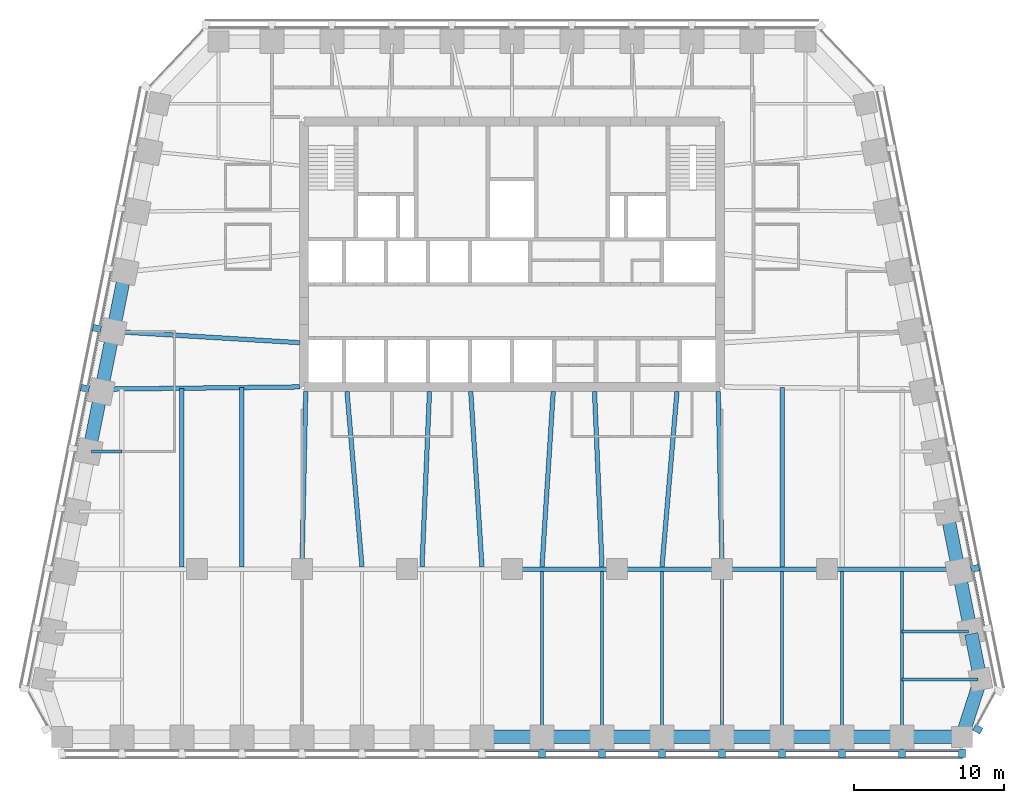
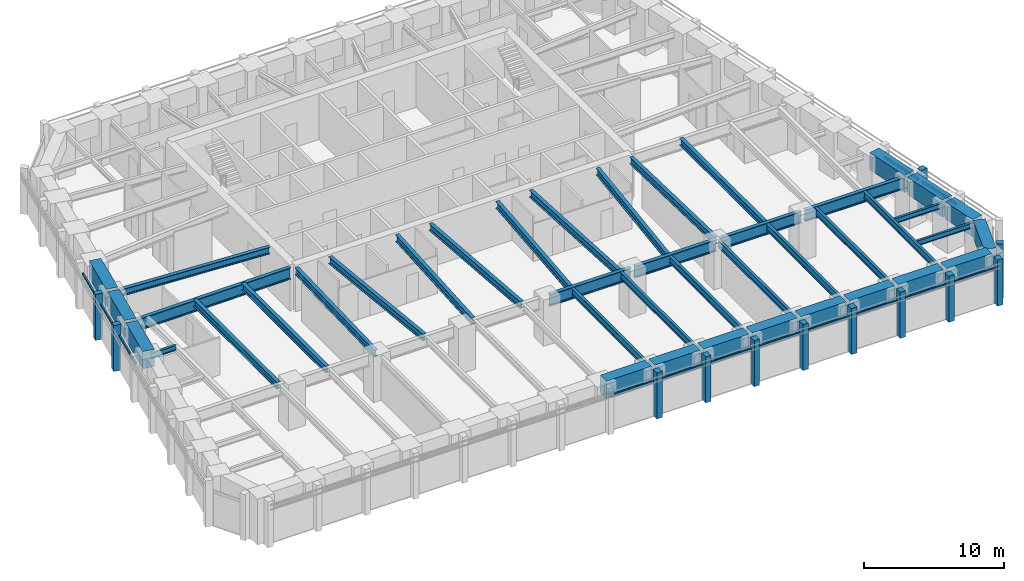
# One storey, part 2 of 10: 42 beams, 25 members, 4 elements without a shape of their own.
"""IFC4 building model written with IfcOpenShell, lengths in metres."""

from ifc_helpers import new_model, si_unit, direction, frame, origin, origin_2d, place, context, subcontext, project, spatial, rectangle, i_section, extrude, material, material_profile, profile_set, type_object, element, aggregate, save


model = new_model("IFC4")

# Units and contexts
model_context = context("Model", 3, precision=1e-05, world=origin(), true_north=direction((0.0, 1.0)))
body_context = subcontext(model_context, "Body", "Model", "MODEL_VIEW")
ifc_project = project(units=[si_unit("LENGTHUNIT", "METRE"), si_unit("AREAUNIT", "SQUARE_METRE"), si_unit("VOLUMEUNIT", "CUBIC_METRE"), si_unit("PLANEANGLEUNIT", "RADIAN"), si_unit("MASSUNIT", "GRAM", prefix="KILO")], contexts=[model_context])

# Site, building, storey
site_placement = place(None, origin())
site = spatial("IfcSite", under=ifc_project, at=site_placement, CompositionType="ELEMENT")
building_placement = place(site_placement, origin())
building = spatial("IfcBuilding", under=site, at=building_placement, Name="Isbrekke Arena Tower", CompositionType="ELEMENT")
storey_placement = place(building_placement, frame((0.0, 0.0, 214.0)))
storey = spatial("IfcBuildingStorey", under=building, at=storey_placement, Name="L49", CompositionType="ELEMENT", Elevation=214.0)

# Beams
ifc_material_1 = material(Name="Steel S355", Category="steel")
ifc_material_profile_1 = material_profile(ifc_material_1, i_section(OverallWidth=0.219970703125, OverallDepth=0.60009765625, WebThickness=0.011962890625, FlangeThickness=0.01904296875, FilletRadius=0.02392578125, at=origin_2d()), Name="IPE 600")
ifc_profile_set_1 = profile_set([ifc_material_profile_1], Name="Steel S355")
beam_type_1 = type_object("IfcBeamType", Name="B1 IPE 600", PredefinedType="BEAM", material=ifc_profile_set_1)
for number, where, z_axis, x_axis, name in (
    (1, (2.0, -17.02490234375, 3.550048828125), (0.0, 1.0, 0.0), (-1.0, 0.0, 0.0), "B1 beam S-S09 L49"),
    (2, (6.0, -17.02490234375, 3.550048828125), (0.0, 1.0, 0.0), (-1.0, 0.0, 0.0), "B1 beam S-S10 L49"),
    (3, (10.0, -17.02490234375, 3.550048828125), (0.0, 1.0, 0.0), (-1.0, 0.0, 0.0), "B1 beam S-S11 L49"),
):
    element("IfcBeam", number, at=place(storey_placement, frame(where, z_axis=z_axis, x_axis=x_axis)), inside=storey, type_object=beam_type_1, Name=name, PredefinedType="BEAM", context=body_context, shape_type="SweptSolid", body=[
        extrude(i_section(OverallWidth=0.219970703125, OverallDepth=0.60009765625, WebThickness=0.011962890625, FlangeThickness=0.01904296875, FilletRadius=0.02392578125, at=origin_2d()), origin(), (0.0, 0.0, 1.0), 10.8740234375),
    ])
beam_1_placement = place(storey_placement, frame((14.0, -17.02490234375, 3.550048828125), z_axis=(0.0, 1.0, 0.0), x_axis=(-1.0, 0.0, 0.0)))
element("IfcBeam", 4, at=beam_1_placement, inside=storey, type_object=beam_type_1, Name="B1 beam S-S12 L49", PredefinedType="BEAM", context=body_context, shape_type="SweptSolid", body=[
    extrude(i_section(OverallWidth=0.219970703125, OverallDepth=0.60009765625, WebThickness=0.011962890625, FlangeThickness=0.01904296875, FilletRadius=0.02392578125, at=origin_2d()), origin(), (0.0, 0.0, 1.0), 10.875),
])
for number, where, z_axis, x_axis, name in (
    (5, (18.0, -17.02490234375, 3.550048828125), (0.0, 1.0, 0.0), (-1.0, 0.0, 0.0), "B1 beam S-S13 L49"),
    (6, (22.0, -17.02490234375, 3.550048828125), (0.0, 1.0, 0.0), (-1.0, 0.0, 0.0), "B1 beam S-S14 L49"),
    (7, (26.0, -17.02490234375, 3.550048828125), (0.0, 1.0, 0.0), (-1.0, 0.0, 0.0), "B1 beam S-S15 L49"),
):
    element("IfcBeam", number, at=place(storey_placement, frame(where, z_axis=z_axis, x_axis=x_axis)), inside=storey, type_object=beam_type_1, Name=name, PredefinedType="BEAM", context=body_context, shape_type="SweptSolid", body=[
        extrude(i_section(OverallWidth=0.219970703125, OverallDepth=0.60009765625, WebThickness=0.011962890625, FlangeThickness=0.01904296875, FilletRadius=0.02392578125, at=origin_2d()), origin(), (0.0, 0.0, 1.0), 10.8740234375),
    ])
ifc_material_2 = material(Name="Steel S355", Category="steel")
ifc_material_profile_2 = material_profile(ifc_material_2, i_section(OverallWidth=0.18994140625, OverallDepth=0.449951171875, WebThickness=0.009521484375, FlangeThickness=0.0146484375, FilletRadius=0.02099609375, at=origin_2d()), Name="IPE 450")
ifc_profile_set_2 = profile_set([ifc_material_profile_2], Name="Steel S355")
beam_type_2 = type_object("IfcBeamType", Name="B2 IPE 450", PredefinedType="BEAM", material=ifc_profile_set_2)
beam_2_placement = place(storey_placement, frame((31.079345703125, -13.352783203125, 3.625), z_axis=(-1.0, 0.0, 0.0), x_axis=(0.0, -1.0, 0.0)))
element("IfcBeam", 8, at=beam_2_placement, inside=storey, type_object=beam_type_2, Name="B2 beam E-E01 L49", PredefinedType="BEAM", context=body_context, shape_type="SweptSolid", body=[
    extrude(i_section(OverallWidth=0.18994140625, OverallDepth=0.449951171875, WebThickness=0.009521484375, FlangeThickness=0.0146484375, FilletRadius=0.02099609375, at=origin_2d()), origin(), (0.0, 0.0, 1.0), 5.079345703125),
])
beam_3_placement = place(storey_placement, frame((30.44091796875, -10.161865234375, 3.625), z_axis=(-1.0, 0.0, 0.0), x_axis=(0.0, -1.0, 0.0)))
element("IfcBeam", 9, at=beam_3_placement, inside=storey, type_object=beam_type_2, Name="B2 beam E-E02 L49", PredefinedType="BEAM", context=body_context, shape_type="SweptSolid", body=[
    extrude(i_section(OverallWidth=0.18994140625, OverallDepth=0.449951171875, WebThickness=0.009521484375, FlangeThickness=0.0146484375, FilletRadius=0.02099609375, at=origin_2d()), origin(), (0.0, 0.0, 1.0), 4.44091796875),
])
beam_4_placement = place(storey_placement, frame((-28.041015625, 1.838134765625, 3.625), z_axis=(1.0, 0.0, 0.0), x_axis=(0.0, 1.0, 0.0)))
element("IfcBeam", 10, at=beam_4_placement, inside=storey, type_object=beam_type_2, Name="B2 beam E-W07 L49", PredefinedType="BEAM", context=body_context, shape_type="SweptSolid", body=[
    extrude(i_section(OverallWidth=0.18994140625, OverallDepth=0.449951171875, WebThickness=0.009521484375, FlangeThickness=0.0146484375, FilletRadius=0.02099609375, at=origin_2d()), origin(), (0.0, 0.0, 1.0), 2.041015625),
])
ifc_material_3 = material(Name="Steel S355", Category="steel")
ifc_material_profile_3 = material_profile(ifc_material_3, i_section(OverallWidth=0.300048828125, OverallDepth=0.60009765625, WebThickness=0.015380859375, FlangeThickness=0.030029296875, FilletRadius=0.027099609375, at=origin_2d()), Name="HEB 600")
ifc_profile_set_3 = profile_set([ifc_material_profile_3], Name="Steel S355")
beam_type_3 = type_object("IfcBeamType", Name="B7 HEB 600", PredefinedType="BEAM", material=ifc_profile_set_3)
beam_5_placement = place(storey_placement, frame((-22.0, -5.84912109375, 3.550048828125), z_axis=(0.0, 1.0, 0.0), x_axis=(-1.0, 0.0, 0.0)))
element("IfcBeam", 11, at=beam_5_placement, inside=storey, type_object=beam_type_3, Name="B7 beam C-M02 L49", PredefinedType="BEAM", context=body_context, shape_type="SweptSolid", body=[
    extrude(i_section(OverallWidth=0.300048828125, OverallDepth=0.60009765625, WebThickness=0.015380859375, FlangeThickness=0.030029296875, FilletRadius=0.027099609375, at=origin_2d()), origin(), (0.0, 0.0, 1.0), 11.91015625),
])
beam_6_placement = place(storey_placement, frame((-18.0, -5.84912109375, 3.550048828125), z_axis=(0.0, 1.0, 0.0), x_axis=(-1.0, 0.0, 0.0)))
element("IfcBeam", 12, at=beam_6_placement, inside=storey, type_object=beam_type_3, Name="B7 beam C-M03 L49", PredefinedType="BEAM", context=body_context, shape_type="SweptSolid", body=[
    extrude(i_section(OverallWidth=0.300048828125, OverallDepth=0.60009765625, WebThickness=0.015380859375, FlangeThickness=0.030029296875, FilletRadius=0.027099609375, at=origin_2d()), origin(), (0.0, 0.0, 1.0), 11.95556640625),
])
beam_7_placement = place(storey_placement, frame((-14.0, -5.8466796875, 3.550048828125), z_axis=(0.021368528218, 0.999771666933, 0.0), x_axis=(-0.999771666933, 0.021368528218, 0.0)))
element("IfcBeam", 13, at=beam_7_placement, inside=storey, type_object=beam_type_3, Name="B7 beam C-M04 L49", PredefinedType="BEAM", context=body_context, shape_type="SweptSolid", body=[
    extrude(i_section(OverallWidth=0.300048828125, OverallDepth=0.60009765625, WebThickness=0.015380859375, FlangeThickness=0.030029296875, FilletRadius=0.027099609375, at=origin_2d()), origin(), (0.0, 0.0, 1.0), 11.699462890625),
])
beam_8_placement = place(storey_placement, frame((-10.0009765625, -5.836181640625, 3.550048828125), z_axis=(-0.085176202372, 0.996365903948, 0.0), x_axis=(-0.996365903948, -0.085176202372, 0.0)))
element("IfcBeam", 14, at=beam_8_placement, inside=storey, type_object=beam_type_3, Name="B7 beam C-M05 L49", PredefinedType="BEAM", context=body_context, shape_type="SweptSolid", body=[
    extrude(i_section(OverallWidth=0.300048828125, OverallDepth=0.60009765625, WebThickness=0.015380859375, FlangeThickness=0.030029296875, FilletRadius=0.027099609375, at=origin_2d()), origin(), (0.0, 0.0, 1.0), 11.72900390625),
])
beam_9_placement = place(storey_placement, frame((-5.999755859375, -5.842529296875, 3.550048828125), z_axis=(0.042702124015, 0.999087848292, 0.0), x_axis=(-0.999087848292, 0.042702124015, 0.0)))
element("IfcBeam", 15, at=beam_9_placement, inside=storey, type_object=beam_type_3, Name="B7 beam C-M06 L49", PredefinedType="BEAM", context=body_context, shape_type="SweptSolid", body=[
    extrude(i_section(OverallWidth=0.300048828125, OverallDepth=0.60009765625, WebThickness=0.015380859375, FlangeThickness=0.030029296875, FilletRadius=0.027099609375, at=origin_2d()), origin(), (0.0, 0.0, 1.0), 11.703369140625),
])
for number, where, z_axis, x_axis, name in (
    (16, (-2.000732421875, -5.83935546875, 3.550048828125), (-0.063966475255, 0.997952047968, 0.0), (-0.997952047968, -0.063966475255, 0.0), "B7 beam C-M07 L49"),
    (17, (2.000732421875, -5.83935546875, 3.550048828125), (0.063966475255, 0.997952047968, 0.0), (-0.997952047968, 0.063966475255, 0.0), "B7 beam C-M08 L49"),
):
    element("IfcBeam", number, at=place(storey_placement, frame(where, z_axis=z_axis, x_axis=x_axis)), inside=storey, type_object=beam_type_3, Name=name, PredefinedType="BEAM", context=body_context, shape_type="SweptSolid", body=[
        extrude(i_section(OverallWidth=0.300048828125, OverallDepth=0.60009765625, WebThickness=0.015380859375, FlangeThickness=0.030029296875, FilletRadius=0.027099609375, at=origin_2d()), origin(), (0.0, 0.0, 1.0), 11.71337890625),
    ])
beam_10_placement = place(storey_placement, frame((5.999755859375, -5.842529296875, 3.550048828125), z_axis=(-0.042702124015, 0.999087848292, 0.0), x_axis=(-0.999087848292, -0.042702124015, 0.0)))
element("IfcBeam", 18, at=beam_10_placement, inside=storey, type_object=beam_type_3, Name="B7 beam C-M09 L49", PredefinedType="BEAM", context=body_context, shape_type="SweptSolid", body=[
    extrude(i_section(OverallWidth=0.300048828125, OverallDepth=0.60009765625, WebThickness=0.015380859375, FlangeThickness=0.030029296875, FilletRadius=0.027099609375, at=origin_2d()), origin(), (0.0, 0.0, 1.0), 11.703369140625),
])
beam_11_placement = place(storey_placement, frame((10.0009765625, -5.836181640625, 3.550048828125), z_axis=(0.085176202372, 0.996365903948, 0.0), x_axis=(-0.996365903948, 0.085176202372, 0.0)))
element("IfcBeam", 19, at=beam_11_placement, inside=storey, type_object=beam_type_3, Name="B7 beam C-M10 L49", PredefinedType="BEAM", context=body_context, shape_type="SweptSolid", body=[
    extrude(i_section(OverallWidth=0.300048828125, OverallDepth=0.60009765625, WebThickness=0.015380859375, FlangeThickness=0.030029296875, FilletRadius=0.027099609375, at=origin_2d()), origin(), (0.0, 0.0, 1.0), 11.72900390625),
])
beam_12_placement = place(storey_placement, frame((14.0, -5.8466796875, 3.550048828125), z_axis=(-0.021368528218, 0.999771666933, 0.0), x_axis=(-0.999771666933, -0.021368528218, 0.0)))
element("IfcBeam", 20, at=beam_12_placement, inside=storey, type_object=beam_type_3, Name="B7 beam C-M11 L49", PredefinedType="BEAM", context=body_context, shape_type="SweptSolid", body=[
    extrude(i_section(OverallWidth=0.300048828125, OverallDepth=0.60009765625, WebThickness=0.015380859375, FlangeThickness=0.030029296875, FilletRadius=0.027099609375, at=origin_2d()), origin(), (0.0, 0.0, 1.0), 11.699462890625),
])
beam_13_placement = place(storey_placement, frame((18.0, -5.84912109375, 3.550048828125), z_axis=(0.0, 1.0, 0.0), x_axis=(-1.0, 0.0, 0.0)))
element("IfcBeam", 21, at=beam_13_placement, inside=storey, type_object=beam_type_3, Name="B7 beam C-M12 L49", PredefinedType="BEAM", context=body_context, shape_type="SweptSolid", body=[
    extrude(i_section(OverallWidth=0.300048828125, OverallDepth=0.60009765625, WebThickness=0.015380859375, FlangeThickness=0.030029296875, FilletRadius=0.027099609375, at=origin_2d()), origin(), (0.0, 0.0, 1.0), 11.95556640625),
])
beam_14_placement = place(storey_placement, frame((-26.43212890625, 9.837646484375, 3.550048828125), z_axis=(0.998201854902, -0.059942112659, 0.0), x_axis=(0.059942112659, 0.998201854902, 0.0)))
element("IfcBeam", 22, at=beam_14_placement, inside=storey, type_object=beam_type_3, Name="B7 beam E-W05 L49", PredefinedType="BEAM", context=body_context, shape_type="SweptSolid", body=[
    extrude(i_section(OverallWidth=0.300048828125, OverallDepth=0.60009765625, WebThickness=0.015380859375, FlangeThickness=0.030029296875, FilletRadius=0.027099609375, at=origin_2d()), origin(), (0.0, 0.0, 1.0), 12.304443359375),
])

# Curtain wall, members
ifc_material_4 = material(Name="Glazed aluminium curtain wall", Category="aluminium")
curtain_wall_type = type_object("IfcCurtainWallType", Name="CWH TOWER CURTAIN WALL HIGH ZONE", PredefinedType="USERDEFINED", material=ifc_material_4)
curtain_wall_1_placement = place(storey_placement, origin())
curtain_wall_1 = element("IfcCurtainWall", 23, at=curtain_wall_1_placement, inside=storey, type_object=curtain_wall_type, Name="CWH curtain wall L49-S", ObjectType="TOWER CURTAIN WALL HIGH ZONE", PredefinedType="USERDEFINED")
ifc_material_5 = material(Name="Aluminium mullion, pale brick slip cladding", Category="masonry")
ifc_material_profile_4 = material_profile(ifc_material_5, rectangle(XDim=0.449951171875, YDim=0.550048828125, at=origin_2d()), Name="PIER 450X550")
ifc_profile_set_4 = profile_set([ifc_material_profile_4], Name="Aluminium mullion, pale brick slip cladding")
member_type_1 = type_object("IfcMemberType", Name="CWH-M PIER MULLION 450 x 550", PredefinedType="MULLION", material=ifc_profile_set_4)
member_1_placement = place(storey_placement, frame((2.0, -18.27490234375, 0.0), z_axis=(0.0, 0.0, 1.0), x_axis=(1.0, 0.0, 0.0)))
member_1 = element("IfcMember", 24, at=member_1_placement, type_object=member_type_1, Name="CWH-M mullion 9", PredefinedType="MULLION", context=body_context, shape_type="SweptSolid", body=[
    extrude(rectangle(XDim=0.449951171875, YDim=0.550048828125, at=origin_2d()), origin(), (0.0, 0.0, 1.0), 4.0),
])
member_2_placement = place(storey_placement, frame((6.0, -18.27490234375, 0.0), z_axis=(0.0, 0.0, 1.0), x_axis=(1.0, 0.0, 0.0)))
member_2 = element("IfcMember", 25, at=member_2_placement, type_object=member_type_1, Name="CWH-M mullion 10", PredefinedType="MULLION", context=body_context, shape_type="SweptSolid", body=[
    extrude(rectangle(XDim=0.449951171875, YDim=0.550048828125, at=origin_2d()), origin(), (0.0, 0.0, 1.0), 4.0),
])
member_3_placement = place(storey_placement, frame((10.0, -18.27490234375, 0.0), z_axis=(0.0, 0.0, 1.0), x_axis=(1.0, 0.0, 0.0)))
member_3 = element("IfcMember", 26, at=member_3_placement, type_object=member_type_1, Name="CWH-M mullion 11", PredefinedType="MULLION", context=body_context, shape_type="SweptSolid", body=[
    extrude(rectangle(XDim=0.449951171875, YDim=0.550048828125, at=origin_2d()), origin(), (0.0, 0.0, 1.0), 4.0),
])
member_4_placement = place(storey_placement, frame((14.0, -18.27490234375, 0.0), z_axis=(0.0, 0.0, 1.0), x_axis=(1.0, 0.0, 0.0)))
member_4 = element("IfcMember", 27, at=member_4_placement, type_object=member_type_1, Name="CWH-M mullion 12", PredefinedType="MULLION", context=body_context, shape_type="SweptSolid", body=[
    extrude(rectangle(XDim=0.449951171875, YDim=0.550048828125, at=origin_2d()), origin(), (0.0, 0.0, 1.0), 4.0),
])
member_5_placement = place(storey_placement, frame((18.0, -18.27490234375, 0.0), z_axis=(0.0, 0.0, 1.0), x_axis=(1.0, 0.0, 0.0)))
member_5 = element("IfcMember", 28, at=member_5_placement, type_object=member_type_1, Name="CWH-M mullion 13", PredefinedType="MULLION", context=body_context, shape_type="SweptSolid", body=[
    extrude(rectangle(XDim=0.449951171875, YDim=0.550048828125, at=origin_2d()), origin(), (0.0, 0.0, 1.0), 4.0),
])
member_6_placement = place(storey_placement, frame((22.0, -18.27490234375, 0.0), z_axis=(0.0, 0.0, 1.0), x_axis=(1.0, 0.0, 0.0)))
member_6 = element("IfcMember", 29, at=member_6_placement, type_object=member_type_1, Name="CWH-M mullion 14", PredefinedType="MULLION", context=body_context, shape_type="SweptSolid", body=[
    extrude(rectangle(XDim=0.449951171875, YDim=0.550048828125, at=origin_2d()), origin(), (0.0, 0.0, 1.0), 4.0),
])
member_7_placement = place(storey_placement, frame((26.0, -18.27490234375, 0.0), z_axis=(0.0, 0.0, 1.0), x_axis=(1.0, 0.0, 0.0)))
member_7 = element("IfcMember", 30, at=member_7_placement, type_object=member_type_1, Name="CWH-M mullion 15", PredefinedType="MULLION", context=body_context, shape_type="SweptSolid", body=[
    extrude(rectangle(XDim=0.449951171875, YDim=0.550048828125, at=origin_2d()), origin(), (0.0, 0.0, 1.0), 4.0),
])
member_8_placement = place(storey_placement, frame((30.0, -18.27490234375, 0.0), z_axis=(0.0, 0.0, 1.0), x_axis=(1.0, 0.0, 0.0)))
member_8 = element("IfcMember", 31, at=member_8_placement, type_object=member_type_1, Name="CWH-M mullion 16", PredefinedType="MULLION", context=body_context, shape_type="SweptSolid", body=[
    extrude(rectangle(XDim=0.449951171875, YDim=0.550048828125, at=origin_2d()), origin(), (0.0, 0.0, 1.0), 4.0),
])

# Curtain wall, member
curtain_wall_2_placement = place(storey_placement, origin())
curtain_wall_2 = element("IfcCurtainWall", 32, at=curtain_wall_2_placement, inside=storey, type_object=curtain_wall_type, Name="CWH curtain wall L49-SE", ObjectType="TOWER CURTAIN WALL HIGH ZONE", PredefinedType="USERDEFINED")
member_9_placement = place(storey_placement, frame((31.047119140625, -16.666748046875, 0.0), z_axis=(0.0, 0.0, 1.0), x_axis=(0.481918749773, 0.876215908676, 0.0)))
member_9 = element("IfcMember", 33, at=member_9_placement, type_object=member_type_1, Name="CWH-M mullion 1", PredefinedType="MULLION", context=body_context, shape_type="SweptSolid", body=[
    extrude(rectangle(XDim=0.449951171875, YDim=0.550048828125, at=origin_2d()), origin(), (0.0, 0.0, 1.0), 4.0),
])
aggregate(curtain_wall_2, [member_9])

curtain_wall_3_placement = place(storey_placement, origin())
curtain_wall_3 = element("IfcCurtainWall", 34, at=curtain_wall_3_placement, inside=storey, type_object=curtain_wall_type, Name="CWH curtain wall L49-E", ObjectType="TOWER CURTAIN WALL HIGH ZONE", PredefinedType="USERDEFINED")
member_10_placement = place(storey_placement, frame((30.86962890625, -5.946044921875, 0.0), z_axis=(0.0, 0.0, 1.0), x_axis=(-0.196116135138, 0.980580675691, 0.0)))
member_10 = element("IfcMember", 35, at=member_10_placement, type_object=member_type_1, Name="CWH-M mullion 2", PredefinedType="MULLION", context=body_context, shape_type="SweptSolid", body=[
    extrude(rectangle(XDim=0.449951171875, YDim=0.550048828125, at=origin_2d()), origin(), (0.0, 0.0, 1.0), 4.0),
])

# Curtain wall, members
curtain_wall_4_placement = place(storey_placement, origin())
curtain_wall_4 = element("IfcCurtainWall", 36, at=curtain_wall_4_placement, inside=storey, type_object=curtain_wall_type, Name="CWH curtain wall L49-W", ObjectType="TOWER CURTAIN WALL HIGH ZONE", PredefinedType="USERDEFINED")
member_11_placement = place(storey_placement, frame((-27.669677734375, 10.053955078125, 0.0), z_axis=(0.0, 0.0, 1.0), x_axis=(-0.196116135138, -0.980580675691, 0.0)))
member_11 = element("IfcMember", 37, at=member_11_placement, type_object=member_type_1, Name="CWH-M mullion 4", PredefinedType="MULLION", context=body_context, shape_type="SweptSolid", body=[
    extrude(rectangle(XDim=0.449951171875, YDim=0.550048828125, at=origin_2d()), origin(), (0.0, 0.0, 1.0), 4.0),
])
member_12_placement = place(storey_placement, frame((-28.4697265625, 6.053955078125, 0.0), z_axis=(0.0, 0.0, 1.0), x_axis=(-0.196116135138, -0.980580675691, 0.0)))
member_12 = element("IfcMember", 38, at=member_12_placement, type_object=member_type_1, Name="CWH-M mullion 5", PredefinedType="MULLION", context=body_context, shape_type="SweptSolid", body=[
    extrude(rectangle(XDim=0.449951171875, YDim=0.550048828125, at=origin_2d()), origin(), (0.0, 0.0, 1.0), 4.0),
])

# Member
ifc_material_6 = material(Name="Aluminium transom", Category="aluminium")
ifc_material_profile_5 = material_profile(ifc_material_6, rectangle(XDim=0.1201171875, YDim=0.199951171875, at=origin_2d()), Name="TRANSOM 120X200")
ifc_profile_set_5 = profile_set([ifc_material_profile_5], Name="Aluminium transom")
member_type_2 = type_object("IfcMemberType", Name="CWH-T TRANSOM 120 x 200", PredefinedType="USERDEFINED", material=ifc_profile_set_5)
member_13_placement = place(storey_placement, frame((-1.77490234375, -18.10009765625, 3.0), z_axis=(1.0, 0.0, 0.0), x_axis=(0.0, 1.0, 0.0)))
member_13 = element("IfcMember", 39, at=member_13_placement, type_object=member_type_2, Name="CWH-T transom 8", ObjectType="TRANSOM", PredefinedType="USERDEFINED", context=body_context, shape_type="SweptSolid", body=[
    extrude(rectangle(XDim=0.1201171875, YDim=0.199951171875, at=origin_2d()), origin(), (0.0, 0.0, 1.0), 3.5498046875),
])

member_14_placement = place(storey_placement, frame((2.22509765625, -18.10009765625, 3.0), z_axis=(1.0, 0.0, 0.0), x_axis=(0.0, 1.0, 0.0)))
member_14 = element("IfcMember", 40, at=member_14_placement, type_object=member_type_2, Name="CWH-T transom 9", ObjectType="TRANSOM", PredefinedType="USERDEFINED", context=body_context, shape_type="SweptSolid", body=[
    extrude(rectangle(XDim=0.1201171875, YDim=0.199951171875, at=origin_2d()), origin(), (0.0, 0.0, 1.0), 3.5498046875),
])

member_15_placement = place(storey_placement, frame((6.22509765625, -18.10009765625, 3.0), z_axis=(1.0, 0.0, 0.0), x_axis=(0.0, 1.0, 0.0)))
member_15 = element("IfcMember", 41, at=member_15_placement, type_object=member_type_2, Name="CWH-T transom 10", ObjectType="TRANSOM", PredefinedType="USERDEFINED", context=body_context, shape_type="SweptSolid", body=[
    extrude(rectangle(XDim=0.1201171875, YDim=0.199951171875, at=origin_2d()), origin(), (0.0, 0.0, 1.0), 3.5498046875),
])

member_16_placement = place(storey_placement, frame((10.22509765625, -18.10009765625, 3.0), z_axis=(1.0, 0.0, 0.0), x_axis=(0.0, 1.0, 0.0)))
member_16 = element("IfcMember", 42, at=member_16_placement, type_object=member_type_2, Name="CWH-T transom 11", ObjectType="TRANSOM", PredefinedType="USERDEFINED", context=body_context, shape_type="SweptSolid", body=[
    extrude(rectangle(XDim=0.1201171875, YDim=0.199951171875, at=origin_2d()), origin(), (0.0, 0.0, 1.0), 3.5498046875),
])

member_17_placement = place(storey_placement, frame((14.22509765625, -18.10009765625, 3.0), z_axis=(1.0, 0.0, 0.0), x_axis=(0.0, 1.0, 0.0)))
member_17 = element("IfcMember", 43, at=member_17_placement, type_object=member_type_2, Name="CWH-T transom 12", ObjectType="TRANSOM", PredefinedType="USERDEFINED", context=body_context, shape_type="SweptSolid", body=[
    extrude(rectangle(XDim=0.1201171875, YDim=0.199951171875, at=origin_2d()), origin(), (0.0, 0.0, 1.0), 3.5498046875),
])

member_18_placement = place(storey_placement, frame((18.22509765625, -18.10009765625, 3.0), z_axis=(1.0, 0.0, 0.0), x_axis=(0.0, 1.0, 0.0)))
member_18 = element("IfcMember", 44, at=member_18_placement, type_object=member_type_2, Name="CWH-T transom 13", ObjectType="TRANSOM", PredefinedType="USERDEFINED", context=body_context, shape_type="SweptSolid", body=[
    extrude(rectangle(XDim=0.1201171875, YDim=0.199951171875, at=origin_2d()), origin(), (0.0, 0.0, 1.0), 3.5498046875),
])

member_19_placement = place(storey_placement, frame((22.22509765625, -18.10009765625, 3.0), z_axis=(1.0, 0.0, 0.0), x_axis=(0.0, 1.0, 0.0)))
member_19 = element("IfcMember", 45, at=member_19_placement, type_object=member_type_2, Name="CWH-T transom 14", ObjectType="TRANSOM", PredefinedType="USERDEFINED", context=body_context, shape_type="SweptSolid", body=[
    extrude(rectangle(XDim=0.1201171875, YDim=0.199951171875, at=origin_2d()), origin(), (0.0, 0.0, 1.0), 3.5498046875),
])

member_20_placement = place(storey_placement, frame((26.22509765625, -18.10009765625, 3.0), z_axis=(1.0, 0.0, 0.0), x_axis=(0.0, 1.0, 0.0)))
member_20 = element("IfcMember", 46, at=member_20_placement, type_object=member_type_2, Name="CWH-T transom 15", ObjectType="TRANSOM", PredefinedType="USERDEFINED", context=body_context, shape_type="SweptSolid", body=[
    extrude(rectangle(XDim=0.1201171875, YDim=0.199951171875, at=origin_2d()), origin(), (0.0, 0.0, 1.0), 3.5498046875),
])

aggregate(curtain_wall_1, [member_1, member_2, member_3, member_4, member_5, member_6, member_7, member_8, member_13, member_14, member_15, member_16, member_17, member_18, member_19, member_20])

member_21_placement = place(storey_placement, frame((31.453857421875, -9.759765625, 3.0), z_axis=(-0.196090262229, 0.980585849918, 0.0), x_axis=(-0.980585849918, -0.196090262229, 0.0)))
member_21 = element("IfcMember", 47, at=member_21_placement, type_object=member_type_2, Name="CWH-T transom 2", ObjectType="TRANSOM", PredefinedType="USERDEFINED", context=body_context, shape_type="SweptSolid", body=[
    extrude(rectangle(XDim=0.1201171875, YDim=0.199951171875, at=origin_2d()), origin(), (0.0, 0.0, 1.0), 3.62939453125),
])

member_22_placement = place(storey_placement, frame((30.654052734375, -5.759765625, 3.0), z_axis=(-0.196154943734, 0.980572913173, 0.0), x_axis=(-0.980572913173, -0.196154943734, 0.0)))
member_22 = element("IfcMember", 48, at=member_22_placement, type_object=member_type_2, Name="CWH-T transom 3", ObjectType="TRANSOM", PredefinedType="USERDEFINED", context=body_context, shape_type="SweptSolid", body=[
    extrude(rectangle(XDim=0.1201171875, YDim=0.199951171875, at=origin_2d()), origin(), (0.0, 0.0, 1.0), 3.62939453125),
])

aggregate(curtain_wall_3, [member_10, member_21, member_22])

member_23_placement = place(storey_placement, frame((-26.7421875, 13.799072265625, 3.0), z_axis=(-0.196090262229, -0.980585849918, 0.0), x_axis=(0.980585849918, -0.196090262229, 0.0)))
member_23 = element("IfcMember", 49, at=member_23_placement, type_object=member_type_2, Name="CWH-T transom 4", ObjectType="TRANSOM", PredefinedType="USERDEFINED", context=body_context, shape_type="SweptSolid", body=[
    extrude(rectangle(XDim=0.1201171875, YDim=0.199951171875, at=origin_2d()), origin(), (0.0, 0.0, 1.0), 3.62939453125),
])

member_24_placement = place(storey_placement, frame((-27.542236328125, 9.799072265625, 3.0), z_axis=(-0.196090262229, -0.980585849918, 0.0), x_axis=(0.980585849918, -0.196090262229, 0.0)))
member_24 = element("IfcMember", 50, at=member_24_placement, type_object=member_type_2, Name="CWH-T transom 5", ObjectType="TRANSOM", PredefinedType="USERDEFINED", context=body_context, shape_type="SweptSolid", body=[
    extrude(rectangle(XDim=0.1201171875, YDim=0.199951171875, at=origin_2d()), origin(), (0.0, 0.0, 1.0), 3.62939453125),
])

member_25_placement = place(storey_placement, frame((-28.34228515625, 5.799072265625, 3.0), z_axis=(-0.196090262229, -0.980585849918, 0.0), x_axis=(0.980585849918, -0.196090262229, 0.0)))
member_25 = element("IfcMember", 51, at=member_25_placement, type_object=member_type_2, Name="CWH-T transom 6", ObjectType="TRANSOM", PredefinedType="USERDEFINED", context=body_context, shape_type="SweptSolid", body=[
    extrude(rectangle(XDim=0.1201171875, YDim=0.199951171875, at=origin_2d()), origin(), (0.0, 0.0, 1.0), 3.62939453125),
])

aggregate(curtain_wall_4, [member_11, member_12, member_23, member_24, member_25])

# Beams
ifc_material_7 = material(Name="Steel S355", Category="steel")
ifc_material_profile_6 = material_profile(ifc_material_7, i_section(OverallWidth=0.302001953125, OverallDepth=1.008056640625, WebThickness=0.02099609375, FlangeThickness=0.0400390625, FilletRadius=0.030029296875, at=origin_2d()), Name="HEM 1000")
ifc_profile_set_6 = profile_set([ifc_material_profile_6], Name="Steel S355")
beam_type_4 = type_object("IfcBeamType", Name="G1 HEM 1000", PredefinedType="BEAM", material=ifc_profile_set_6)
for number, where, z_axis, x_axis, name in (
    (52, (0.14990234375, -6.0, 3.345947265625), (1.0, 0.0, 0.0), (0.0, 1.0, 0.0), "G1 beam G1-05 L49"),
    (53, (7.14990234375, -6.0, 3.345947265625), (1.0, 0.0, 0.0), (0.0, 1.0, 0.0), "G1 beam G1-06 L49"),
    (54, (14.14990234375, -6.0, 3.345947265625), (1.0, 0.0, 0.0), (0.0, 1.0, 0.0), "G1 beam G1-07 L49"),
):
    element("IfcBeam", number, at=place(storey_placement, frame(where, z_axis=z_axis, x_axis=x_axis)), inside=storey, type_object=beam_type_4, Name=name, PredefinedType="BEAM", context=body_context, shape_type="SweptSolid", body=[
        extrude(i_section(OverallWidth=0.302001953125, OverallDepth=1.008056640625, WebThickness=0.02099609375, FlangeThickness=0.0400390625, FilletRadius=0.030029296875, at=origin_2d()), origin(), (0.0, 0.0, 1.0), 6.7001953125),
    ])
beam_15_placement = place(storey_placement, frame((21.14990234375, -6.0, 3.345947265625), z_axis=(1.0, 0.0, 0.0), x_axis=(0.0, 1.0, 0.0)))
element("IfcBeam", 55, at=beam_15_placement, inside=storey, type_object=beam_type_4, Name="G1 beam G1-08 L49", PredefinedType="BEAM", context=body_context, shape_type="SweptSolid", body=[
    extrude(i_section(OverallWidth=0.302001953125, OverallDepth=1.008056640625, WebThickness=0.02099609375, FlangeThickness=0.0400390625, FilletRadius=0.030029296875, at=origin_2d()), origin(), (0.0, 0.0, 1.0), 8.64111328125),
])
ifc_material_8 = material(Name="Steel S355", Category="steel")
ifc_material_profile_7 = material_profile(ifc_material_8, i_section(OverallWidth=0.302001953125, OverallDepth=1.008056640625, WebThickness=0.02099609375, FlangeThickness=0.0400390625, FilletRadius=0.030029296875, at=origin_2d()), Name="HEM 1000")
ifc_profile_set_7 = profile_set([ifc_material_profile_7], Name="Steel S355")
beam_type_5 = type_object("IfcBeamType", Name="G2 HEM 1000", PredefinedType="BEAM", material=ifc_profile_set_7)
beam_16_placement = place(storey_placement, frame((-14.14990234375, 6.14990234375, 3.345947265625), z_axis=(-0.999935908299, -0.011321629528, 0.0), x_axis=(0.011321629528, -0.999935908299, 0.0)))
element("IfcBeam", 56, at=beam_16_placement, inside=storey, type_object=beam_type_5, Name="G2 beam G2-W L49", PredefinedType="BEAM", context=body_context, shape_type="SweptSolid", body=[
    extrude(i_section(OverallWidth=0.302001953125, OverallDepth=1.008056640625, WebThickness=0.02099609375, FlangeThickness=0.0400390625, FilletRadius=0.030029296875, at=origin_2d()), origin(), (0.0, 0.0, 1.0), 13.240234375),
])
ifc_material_9 = material(Name="Concrete B65 (C65/80)", Category="concrete")
ifc_material_profile_8 = material_profile(ifc_material_9, rectangle(XDim=0.89990234375, YDim=1.5, at=origin_2d()), Name="RC 900x1500")
ifc_profile_set_8 = profile_set([ifc_material_profile_8], Name="Concrete B65 (C65/80)")
beam_type_6 = type_object("IfcBeamType", Name="SB3 RC 900 x 1500", PredefinedType="SPANDREL", material=ifc_profile_set_8)
for number, where, z_axis, x_axis, name in (
    (57, (-1.85009765625, -17.175048828125, 3.25), (1.0, 0.0, 0.0), (0.0, 1.0, 0.0), "SB3 spandrel S08-S09 L49"),
    (58, (2.14990234375, -17.175048828125, 3.25), (1.0, 0.0, 0.0), (0.0, 1.0, 0.0), "SB3 spandrel S09-S10 L49"),
    (59, (6.14990234375, -17.175048828125, 3.25), (1.0, 0.0, 0.0), (0.0, 1.0, 0.0), "SB3 spandrel S10-S11 L49"),
    (60, (10.14990234375, -17.175048828125, 3.25), (1.0, 0.0, 0.0), (0.0, 1.0, 0.0), "SB3 spandrel S11-S12 L49"),
    (61, (14.14990234375, -17.175048828125, 3.25), (1.0, 0.0, 0.0), (0.0, 1.0, 0.0), "SB3 spandrel S12-S13 L49"),
    (62, (18.14990234375, -17.175048828125, 3.25), (1.0, 0.0, 0.0), (0.0, 1.0, 0.0), "SB3 spandrel S13-S14 L49"),
    (63, (22.14990234375, -17.175048828125, 3.25), (1.0, 0.0, 0.0), (0.0, 1.0, 0.0), "SB3 spandrel S14-S15 L49"),
    (64, (26.14990234375, -17.175048828125, 3.25), (1.0, 0.0, 0.0), (0.0, 1.0, 0.0), "SB3 spandrel S15-S16 L49"),
):
    element("IfcBeam", number, at=place(storey_placement, frame(where, z_axis=z_axis, x_axis=x_axis)), inside=storey, type_object=beam_type_6, Name=name, PredefinedType="SPANDREL", context=body_context, shape_type="SweptSolid", body=[
        extrude(rectangle(XDim=0.89990234375, YDim=1.5, at=origin_2d()), origin(), (0.0, 0.0, 1.0), 3.7001953125),
    ])
beam_17_placement = place(storey_placement, frame((30.0458984375, -17.0322265625, 3.25), z_axis=(0.306175101476, 0.951975213562, 0.0), x_axis=(-0.951975213562, 0.306175101476, 0.0)))
element("IfcBeam", 65, at=beam_17_placement, inside=storey, type_object=beam_type_6, Name="SB3 spandrel S16-E01 L49", PredefinedType="SPANDREL", context=body_context, shape_type="SweptSolid", body=[
    extrude(rectangle(XDim=0.89990234375, YDim=1.5, at=origin_2d()), origin(), (0.0, 0.0, 1.0), 3.715087890625),
])
beam_18_placement = place(storey_placement, frame((31.19970703125, -13.205810546875, 3.25), z_axis=(-0.196100243168, 0.980583853951, 0.0), x_axis=(-0.980583853951, -0.196100243168, 0.0)))
element("IfcBeam", 66, at=beam_18_placement, inside=storey, type_object=beam_type_6, Name="SB3 spandrel E01-E02 L49", PredefinedType="SPANDREL", context=body_context, shape_type="SweptSolid", body=[
    extrude(rectangle(XDim=0.89990234375, YDim=1.5, at=origin_2d()), origin(), (0.0, 0.0, 1.0), 2.954345703125),
])
beam_19_placement = place(storey_placement, frame((30.5615234375, -10.0146484375, 3.25), z_axis=(-0.1960664412, 0.980590613169, 0.0), x_axis=(-0.980590613169, -0.1960664412, 0.0)))
element("IfcBeam", 67, at=beam_19_placement, inside=storey, type_object=beam_type_6, Name="SB3 spandrel E02-E03 L49", PredefinedType="SPANDREL", context=body_context, shape_type="SweptSolid", body=[
    extrude(rectangle(XDim=0.89990234375, YDim=1.5, at=origin_2d()), origin(), (0.0, 0.0, 1.0), 3.779052734375),
])
beam_20_placement = place(storey_placement, frame((29.76171875, -6.0146484375, 3.25), z_axis=(-0.196128558387, 0.980578190959, 0.0), x_axis=(-0.980578190959, -0.196128558387, 0.0)))
element("IfcBeam", 68, at=beam_20_placement, inside=storey, type_object=beam_type_6, Name="SB3 spandrel E03-E04 L49", PredefinedType="SPANDREL", context=body_context, shape_type="SweptSolid", body=[
    extrude(rectangle(XDim=0.89990234375, YDim=1.5, at=origin_2d()), origin(), (0.0, 0.0, 1.0), 3.779296875),
])
beam_21_placement = place(storey_placement, frame((-25.820556640625, 13.691162109375, 3.25), z_axis=(-0.1960664412, -0.980590613169, 0.0), x_axis=(0.980590613169, -0.1960664412, 0.0)))
element("IfcBeam", 69, at=beam_21_placement, inside=storey, type_object=beam_type_6, Name="SB3 spandrel W04-W05 L49", PredefinedType="SPANDREL", context=body_context, shape_type="SweptSolid", body=[
    extrude(rectangle(XDim=0.89990234375, YDim=1.5, at=origin_2d()), origin(), (0.0, 0.0, 1.0), 3.779052734375),
])
for number, where, z_axis, x_axis, name in (
    (70, (-26.620361328125, 9.691162109375, 3.25), (-0.196128558387, -0.980578190959, 0.0), (0.980578190959, -0.196128558387, 0.0), "SB3 spandrel W05-W06 L49"),
    (71, (-27.42041015625, 5.691162109375, 3.25), (-0.196128558387, -0.980578190959, 0.0), (0.980578190959, -0.196128558387, 0.0), "SB3 spandrel W06-W07 L49"),
):
    element("IfcBeam", number, at=place(storey_placement, frame(where, z_axis=z_axis, x_axis=x_axis)), inside=storey, type_object=beam_type_6, Name=name, PredefinedType="SPANDREL", context=body_context, shape_type="SweptSolid", body=[
        extrude(rectangle(XDim=0.89990234375, YDim=1.5, at=origin_2d()), origin(), (0.0, 0.0, 1.0), 3.779296875),
    ])

save(model, "model.ifc")
